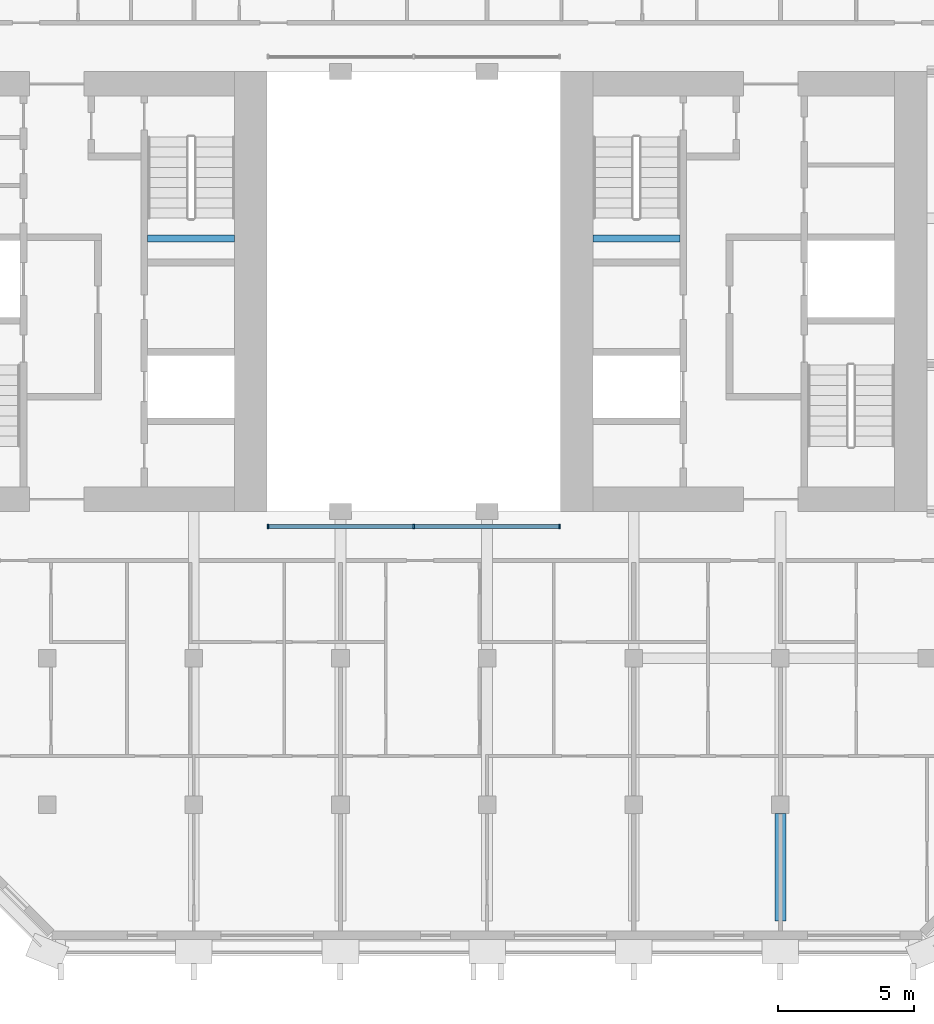
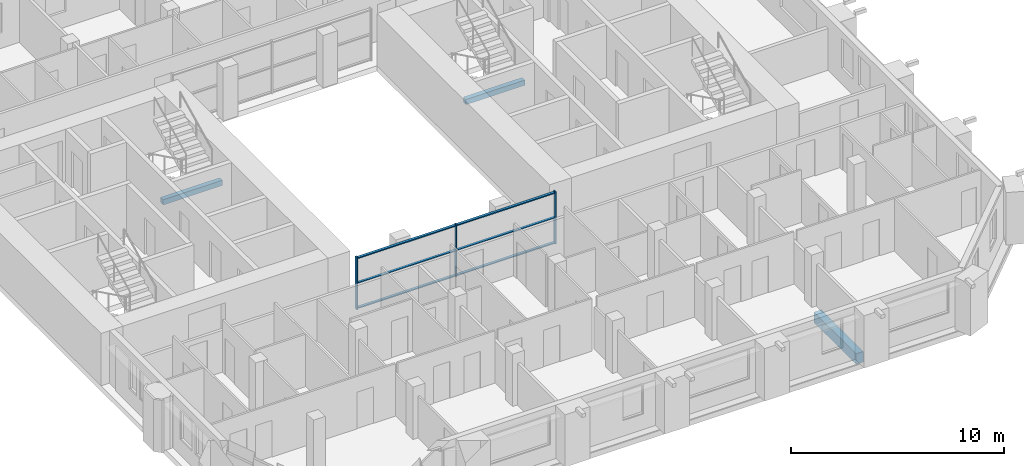
# One storey, part 2 of 14: 9 members, 3 beams, 1 element without a shape of its own.
"""IFC4 building model written with IfcOpenShell, lengths in metres."""

import ifcopenshell
import ifcopenshell.guid

model = None  # the IFC model being written
_history = None  # IfcOwnerHistory: only IFC2X3 demands one
_inside = {}  # id of a spatial element -> (the spatial element, [elements in it])
_under = {}  # id of a project, library or spatial element -> (it, [spatial elements below it])
_declared = {}  # id of a project -> (the project, [libraries it declares])
_typed = {}  # id of a type object -> (the type object, [elements of that type])
_made_of = {}  # id of a material, layer set ... -> (it, [elements and type objects made of it])


def new_model(schema):
    """Start an empty IFC model of exactly this schema.

    Asked for "IFC4X3", IfcOpenShell would pick the latest addendum, in which some entities
    have other attributes; the version numbers below select the first issue.
    IFC2X3 requires an IfcOwnerHistory on every rooted entity: one is made here for all.
    """
    global model, _history
    if schema == "IFC4X3":
        model = ifcopenshell.file(schema_version=(4, 3, 0, 0))
    else:
        model = ifcopenshell.file(schema=schema)
    _inside.clear()
    _under.clear()
    _declared.clear()
    _typed.clear()
    _made_of.clear()
    _history = None
    if model.schema == "IFC2X3":
        org = make("IfcOrganization", Name="unknown")
        user = make(
            "IfcPersonAndOrganization",
            ThePerson=make("IfcPerson", FamilyName="unknown"),
            TheOrganization=org,
        )
        app = make(
            "IfcApplication",
            ApplicationDeveloper=org,
            Version="unknown",
            ApplicationFullName="unknown",
            ApplicationIdentifier="unknown",
        )
        _history = make(
            "IfcOwnerHistory",
            OwningUser=user,
            OwningApplication=app,
            ChangeAction="ADDED",
            CreationDate=0,
        )
    return model


def make(cls, **values):
    """One entity of the class cls with the attributes given. An attribute that is None is left unset."""
    return model.create_entity(
        cls, **{name: value for name, value in values.items() if value is not None}
    )


def rooted(cls, **values):
    """An entity with a GlobalId (a new one), such as an element, a storey or a relation."""
    return make(cls, GlobalId=ifcopenshell.guid.new(), OwnerHistory=_history, **values)


def si_unit(unit_type, name, prefix=None):
    """IfcSIUnit, for example si_unit("LENGTHUNIT", "METRE", prefix="MILLI")."""
    return make("IfcSIUnit", UnitType=unit_type, Prefix=prefix, Name=name)


def assignment(units):
    """IfcUnitAssignment: the units of a project."""
    return None if units is None else make("IfcUnitAssignment", Units=units)


def point(xyz):
    """IfcCartesianPoint."""
    return None if xyz is None else make("IfcCartesianPoint", Coordinates=xyz)


def direction(xyz):
    """IfcDirection."""
    return None if xyz is None else make("IfcDirection", DirectionRatios=xyz)


def frame(location, z_axis=None, x_axis=None):
    """IfcAxis2Placement3D, a coordinate frame: its origin and axes. An axis left out is left unset."""
    return make(
        "IfcAxis2Placement3D",
        Location=point(location),
        Axis=direction(z_axis),
        RefDirection=direction(x_axis),
    )


def frame_2d(location, x_axis=None):
    """IfcAxis2Placement2D, a coordinate frame in the plane: its origin and x axis."""
    return make(
        "IfcAxis2Placement2D", Location=point(location), RefDirection=direction(x_axis)
    )


def origin():
    """The frame at (0, 0, 0) with its axes left unset."""
    return frame((0.0, 0.0, 0.0))


def origin_2d():
    """The frame at (0, 0) in the plane with its x axis left unset."""
    return frame_2d((0.0, 0.0))


def place(relative_to, where):
    """IfcLocalPlacement: puts the frame where relative to a parent placement (None: the world)."""
    return make(
        "IfcLocalPlacement", PlacementRelTo=relative_to, RelativePlacement=where
    )


def context(
    kind, dimensions, precision=None, world=None, true_north=None, identifier=None
):
    """IfcGeometricRepresentationContext, for example the 3D "Model" context."""
    return make(
        "IfcGeometricRepresentationContext",
        ContextIdentifier=identifier,
        ContextType=kind,
        CoordinateSpaceDimension=dimensions,
        Precision=precision,
        WorldCoordinateSystem=world,
        TrueNorth=true_north,
    )


def subcontext(parent, identifier, kind, view, scale=None):
    """IfcGeometricRepresentationSubContext, for example "Body" below "Model"."""
    return make(
        "IfcGeometricRepresentationSubContext",
        ContextIdentifier=identifier,
        ContextType=kind,
        ParentContext=parent,
        TargetScale=scale,
        TargetView=view,
    )


def project(units=None, contexts=None):
    """IfcProject with its units and contexts."""
    return rooted(
        "IfcProject",
        Name="project",
        RepresentationContexts=contexts,
        UnitsInContext=assignment(units),
    )


def spatial(cls, under=None, at=None, **own):
    """A site, building, storey or space (cls), placed at a placement, below another one or the project."""
    s = rooted(cls, ObjectPlacement=at, **own)
    if under is not None:
        _under.setdefault(under.id(), (under, []))[1].append(s)
    return s


def profile(cls, at=None, kind="AREA", **sizes):
    """A parametric profile (cls). Its sizes go by their IFC names, for example OverallWidth=200.0."""
    return make(cls, ProfileType=kind, Position=at, **sizes)


def rectangle(**sizes):
    """IfcRectangleProfileDef."""
    return profile("IfcRectangleProfileDef", **sizes)


def extrude(swept, where, along, depth):
    """IfcExtrudedAreaSolid: the profile swept, set in the frame where, extruded along a direction by depth."""
    return make(
        "IfcExtrudedAreaSolid",
        SweptArea=swept,
        Position=where,
        ExtrudedDirection=direction(along),
        Depth=depth,
    )


def shape(context_of_items, identifier, shape_type, items):
    """IfcShapeRepresentation: the items that make up one representation, for example the "Body"."""
    return make(
        "IfcShapeRepresentation",
        ContextOfItems=context_of_items,
        RepresentationIdentifier=identifier,
        RepresentationType=shape_type,
        Items=items,
    )


def material(Name=None, Category=None):
    """IfcMaterial."""
    return make("IfcMaterial", Name=Name, Category=Category)


def material_profile(
    of_material, cross_section, Name=None, Category=None, Priority=None
):
    """IfcMaterialProfile: a cross section and its material."""
    return make(
        "IfcMaterialProfile",
        Name=Name,
        Material=of_material,
        Profile=cross_section,
        Priority=Priority,
        Category=Category,
    )


def profile_set(profiles, Name=None, composite=None):
    """IfcMaterialProfileSet."""
    return make(
        "IfcMaterialProfileSet",
        Name=Name,
        MaterialProfiles=profiles,
        CompositeProfile=composite,
    )


def made_of(thing, what):
    """Note that an element or type object is made of a material, layer set ...; save() writes the relation."""
    if what is not None:
        _made_of.setdefault(what.id(), (what, []))[1].append(thing)
    return thing


def type_object(cls, material=None, **own):
    """A type object (cls), such as IfcWallType, which elements share."""
    return made_of(rooted(cls, **own), material)


def element(
    cls,
    number,
    at=None,
    inside=None,
    cuts=None,
    type_object=None,
    material=None,
    context=None,
    identifier="Body",
    shape_type=None,
    held_by="IfcProductDefinitionShape",
    body=None,
    shapes=None,
    **own,
):
    """One element of the class cls, such as IfcWall. Its Tag is "e" and its number.

    at: its placement. inside: the storey or other place that contains it. cuts: it is an
    opening in that element (IfcRelVoidsElement). A single representation is given by context,
    identifier, shape_type and body (its items); several are given by shapes. held_by: the class
    of the entity that holds the representations. save() writes the other relations.
    """
    e = rooted(cls, Tag="e%d" % number, ObjectPlacement=at, **own)
    if body is not None:
        shapes = [shape(context, identifier, shape_type, body)]
    if shapes is not None:
        e.Representation = make(held_by, Representations=shapes)
    if inside is not None:
        _inside.setdefault(inside.id(), (inside, []))[1].append(e)
    if cuts is not None:
        rooted(
            "IfcRelVoidsElement", RelatingBuildingElement=cuts, RelatedOpeningElement=e
        )
    if type_object is not None:
        _typed.setdefault(type_object.id(), (type_object, []))[1].append(e)
    return made_of(e, material)


def aggregate(whole, parts):
    """IfcRelAggregates: a whole, such as a stair, and the parts it consists of."""
    return rooted("IfcRelAggregates", RelatingObject=whole, RelatedObjects=parts)


def save(model, path):
    """Write the relations noted so far, then the file.

    IfcRelAggregates (storeys below a building ...), IfcRelContainedInSpatialStructure (elements
    in a storey), IfcRelDefinesByType, IfcRelAssociatesMaterial and IfcRelDeclares: one each for
    every whole, place, type object, material and project.
    """
    for whole, parts in _under.values():
        aggregate(whole, parts)
    for where, things in _inside.values():
        rooted(
            "IfcRelContainedInSpatialStructure",
            RelatedElements=things,
            RelatingStructure=where,
        )
    for kind, things in _typed.values():
        rooted("IfcRelDefinesByType", RelatedObjects=things, RelatingType=kind)
    for what, things in _made_of.values():
        rooted("IfcRelAssociatesMaterial", RelatedObjects=things, RelatingMaterial=what)
    for by, libraries in _declared.values():
        rooted("IfcRelDeclares", RelatingContext=by, RelatedDefinitions=libraries)
    model.write(path)


model = new_model("IFC4")

# Units and contexts
model_context = context("Model", 3, precision=1e-05, world=origin(), true_north=direction((0.0, 1.0)))
body_context = subcontext(model_context, "Body", "Model", "MODEL_VIEW")
ifc_project = project(units=[si_unit("LENGTHUNIT", "METRE"), si_unit("AREAUNIT", "SQUARE_METRE"), si_unit("VOLUMEUNIT", "CUBIC_METRE"), si_unit("PLANEANGLEUNIT", "RADIAN"), si_unit("MASSUNIT", "GRAM", prefix="KILO")], contexts=[model_context])

# Site, building, storey
site_placement = place(None, origin())
site = spatial("IfcSite", under=ifc_project, at=site_placement, CompositionType="ELEMENT")
building_placement = place(site_placement, origin())
building = spatial("IfcBuilding", under=site, at=building_placement, Name="Tabaq Tower and Sports Hall", CompositionType="ELEMENT")
storey_placement = place(building_placement, frame((0.0, 0.0, 275.199951171875)))
storey = spatial("IfcBuildingStorey", under=building, at=storey_placement, Name="L67", CompositionType="ELEMENT", Elevation=275.199951171875)

# Curtain wall, members
ifc_material_1 = material(Name="Aluminium alloy 6063-T6 framed glazing", Category="aluminium")
curtain_wall_type = type_object("IfcCurtainWallType", Name="CW1 curtain wall", PredefinedType="USERDEFINED", material=ifc_material_1)
curtain_wall_placement = place(storey_placement, origin())
curtain_wall = element("IfcCurtainWall", 1, at=curtain_wall_placement, inside=storey, type_object=curtain_wall_type, Name="Atrium glazing L67 S", ObjectType="ATRIUM ENCLOSURE", PredefinedType="USERDEFINED")
ifc_material_2 = material(Name="Aluminium alloy 6063-T6", Category="aluminium")
ifc_material_profile_1 = material_profile(ifc_material_2, rectangle(XDim=0.159912109375, YDim=0.06005859375, at=origin_2d()), Name="MULLION 160x60")
ifc_profile_set_1 = profile_set([ifc_material_profile_1], Name="Aluminium alloy 6063-T6")
member_type_1 = type_object("IfcMemberType", Name="CW1 mullion 160x60", PredefinedType="MULLION", material=ifc_profile_set_1)
member_1_placement = place(storey_placement, frame((18.929931640625, 15.64990234375, 0.0), z_axis=(0.0, 0.0, 1.0), x_axis=(0.0, 1.0, 0.0)))
member_1 = element("IfcMember", 2, at=member_1_placement, type_object=member_type_1, Name="CW1 mullion 1", PredefinedType="MULLION", context=body_context, shape_type="SweptSolid", body=[
    extrude(rectangle(XDim=0.159912109375, YDim=0.06005859375, at=origin_2d()), origin(), (0.0, 0.0, 1.0), 3.0),
])
member_2_placement = place(storey_placement, frame((24.300048828125, 15.64990234375, 0.0), z_axis=(0.0, 0.0, 1.0), x_axis=(0.0, 1.0, 0.0)))
member_2 = element("IfcMember", 3, at=member_2_placement, type_object=member_type_1, Name="CW1 mullion 2", PredefinedType="MULLION", context=body_context, shape_type="SweptSolid", body=[
    extrude(rectangle(XDim=0.159912109375, YDim=0.06005859375, at=origin_2d()), origin(), (0.0, 0.0, 1.0), 3.0),
])
member_3_placement = place(storey_placement, frame((29.669921875, 15.64990234375, 0.0), z_axis=(0.0, 0.0, 1.0), x_axis=(0.0, 1.0, 0.0)))
member_3 = element("IfcMember", 4, at=member_3_placement, type_object=member_type_1, Name="CW1 mullion 3", PredefinedType="MULLION", context=body_context, shape_type="SweptSolid", body=[
    extrude(rectangle(XDim=0.159912109375, YDim=0.06005859375, at=origin_2d()), origin(), (0.0, 0.0, 1.0), 3.0),
])
ifc_material_3 = material(Name="Aluminium alloy 6063-T6", Category="aluminium")
ifc_material_profile_2 = material_profile(ifc_material_3, rectangle(XDim=0.139892578125, YDim=0.06005859375, at=origin_2d()), Name="TRANSOM 140x60")
ifc_profile_set_2 = profile_set([ifc_material_profile_2], Name="Aluminium alloy 6063-T6")
member_type_2 = type_object("IfcMemberType", Name="CW1 transom 140x60", PredefinedType="USERDEFINED", material=ifc_profile_set_2)
member_4_placement = place(storey_placement, frame((18.9599609375, 15.64990234375, 0.070068359375), z_axis=(1.0, 0.0, 0.0), x_axis=(0.0, 1.0, 0.0)))
member_4 = element("IfcMember", 5, at=member_4_placement, type_object=member_type_2, Name="CW1 transom 1.1", ObjectType="TRANSOM", PredefinedType="USERDEFINED", context=body_context, shape_type="SweptSolid", body=[
    extrude(rectangle(XDim=0.139892578125, YDim=0.06005859375, at=origin_2d()), origin(), (0.0, 0.0, 1.0), 5.31005859375),
])
member_5_placement = place(storey_placement, frame((18.9599609375, 15.64990234375, 1.5), z_axis=(1.0, 0.0, 0.0), x_axis=(0.0, 1.0, 0.0)))
member_5 = element("IfcMember", 6, at=member_5_placement, type_object=member_type_2, Name="CW1 transom 1.2", ObjectType="TRANSOM", PredefinedType="USERDEFINED", context=body_context, shape_type="SweptSolid", body=[
    extrude(rectangle(XDim=0.139892578125, YDim=0.06005859375, at=origin_2d()), origin(), (0.0, 0.0, 1.0), 5.31005859375),
])
member_6_placement = place(storey_placement, frame((18.9599609375, 15.64990234375, 2.929931640625), z_axis=(1.0, 0.0, 0.0), x_axis=(0.0, 1.0, 0.0)))
member_6 = element("IfcMember", 7, at=member_6_placement, type_object=member_type_2, Name="CW1 transom 1.3", ObjectType="TRANSOM", PredefinedType="USERDEFINED", context=body_context, shape_type="SweptSolid", body=[
    extrude(rectangle(XDim=0.139892578125, YDim=0.06005859375, at=origin_2d()), origin(), (0.0, 0.0, 1.0), 5.31005859375),
])
member_7_placement = place(storey_placement, frame((24.330078125, 15.64990234375, 0.070068359375), z_axis=(1.0, 0.0, 0.0), x_axis=(0.0, 1.0, 0.0)))
member_7 = element("IfcMember", 8, at=member_7_placement, type_object=member_type_2, Name="CW1 transom 2.1", ObjectType="TRANSOM", PredefinedType="USERDEFINED", context=body_context, shape_type="SweptSolid", body=[
    extrude(rectangle(XDim=0.139892578125, YDim=0.06005859375, at=origin_2d()), origin(), (0.0, 0.0, 1.0), 5.309814453125),
])
member_8_placement = place(storey_placement, frame((24.330078125, 15.64990234375, 1.5), z_axis=(1.0, 0.0, 0.0), x_axis=(0.0, 1.0, 0.0)))
member_8 = element("IfcMember", 9, at=member_8_placement, type_object=member_type_2, Name="CW1 transom 2.2", ObjectType="TRANSOM", PredefinedType="USERDEFINED", context=body_context, shape_type="SweptSolid", body=[
    extrude(rectangle(XDim=0.139892578125, YDim=0.06005859375, at=origin_2d()), origin(), (0.0, 0.0, 1.0), 5.309814453125),
])
member_9_placement = place(storey_placement, frame((24.330078125, 15.64990234375, 2.929931640625), z_axis=(1.0, 0.0, 0.0), x_axis=(0.0, 1.0, 0.0)))
member_9 = element("IfcMember", 10, at=member_9_placement, type_object=member_type_2, Name="CW1 transom 2.3", ObjectType="TRANSOM", PredefinedType="USERDEFINED", context=body_context, shape_type="SweptSolid", body=[
    extrude(rectangle(XDim=0.139892578125, YDim=0.06005859375, at=origin_2d()), origin(), (0.0, 0.0, 1.0), 5.309814453125),
])
aggregate(curtain_wall, [member_1, member_2, member_3, member_4, member_5, member_6, member_7, member_8, member_9])

# Beams
ifc_material_4 = material(Name="Concrete C40/50", Category="concrete")
ifc_material_profile_3 = material_profile(ifc_material_4, rectangle(XDim=0.39990234375, YDim=0.60009765625, at=origin_2d()), Name="CB 400x600")
ifc_profile_set_3 = profile_set([ifc_material_profile_3], Name="Concrete C40/50")
beam_type_1 = type_object("IfcBeamType", Name="PT CANTILEVER BEAM CB 400x600 C40/50", PredefinedType="BEAM", material=ifc_profile_set_3)
beam_1_placement = place(storey_placement, frame((37.800048828125, 1.125, -0.599853515625), z_axis=(0.0, 1.0, 0.0), x_axis=(-1.0, 0.0, 0.0)))
element("IfcBeam", 11, at=beam_1_placement, inside=storey, type_object=beam_type_1, Name="Cantilever Beam L67 S7 span 1", PredefinedType="BEAM", context=body_context, shape_type="SweptSolid", body=[
    extrude(rectangle(XDim=0.39990234375, YDim=0.60009765625, at=origin_2d()), origin(), (0.0, 0.0, 1.0), 3.949951171875),
])
ifc_material_5 = material(Name="Concrete C40/50", Category="concrete")
ifc_material_profile_4 = material_profile(ifc_material_5, rectangle(XDim=0.25, YDim=0.300048828125, at=origin_2d()), Name="RC 250x300")
ifc_profile_set_4 = profile_set([ifc_material_profile_4], Name="Concrete C40/50")
beam_type_2 = type_object("IfcBeamType", Name="Stair landing beam 250x300", PredefinedType="BEAM", material=ifc_profile_set_4)
beam_2_placement = place(storey_placement, frame((14.5, 26.25, 1.300048828125), z_axis=(1.0, 0.0, 0.0), x_axis=(0.0, 1.0, 0.0)))
element("IfcBeam", 12, at=beam_2_placement, inside=storey, type_object=beam_type_2, Name="L67 ST2 landing beam 1", PredefinedType="BEAM", context=body_context, shape_type="SweptSolid", body=[
    extrude(rectangle(XDim=0.25, YDim=0.300048828125, at=origin_2d()), origin(), (0.0, 0.0, 1.0), 3.199951171875),
])
beam_3_placement = place(storey_placement, frame((30.89990234375, 26.25, 1.300048828125), z_axis=(1.0, 0.0, 0.0), x_axis=(0.0, 1.0, 0.0)))
element("IfcBeam", 13, at=beam_3_placement, inside=storey, type_object=beam_type_2, Name="L67 ST4 landing beam 1", PredefinedType="BEAM", context=body_context, shape_type="SweptSolid", body=[
    extrude(rectangle(XDim=0.25, YDim=0.300048828125, at=origin_2d()), origin(), (0.0, 0.0, 1.0), 3.2001953125),
])

save(model, "model.ifc")
